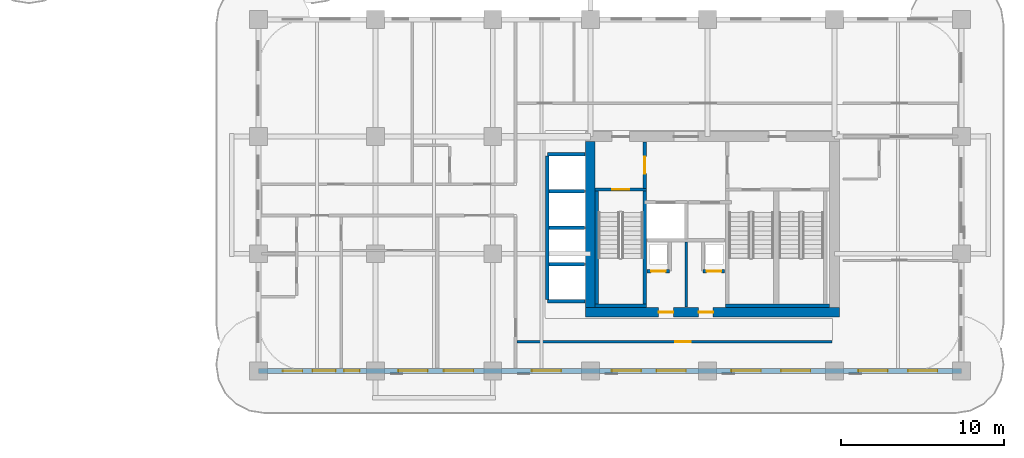
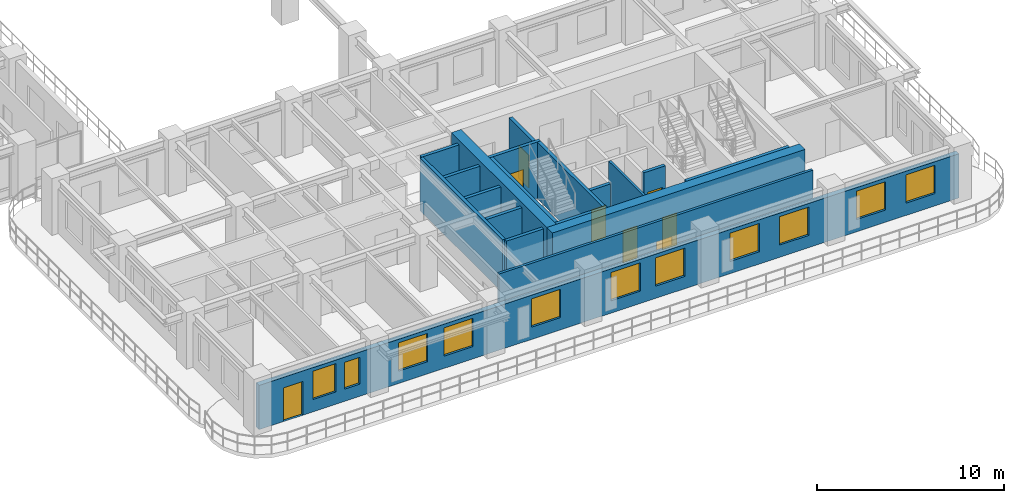
# One storey, part 8 of 19: 19 walls, 11 windows, 8 doors, 19 openings.
"""IFC4 building model written with IfcOpenShell, lengths in metres."""

from ifc_helpers import new_model, si_unit, derived_unit, direction, frame, frame_2d, origin, place, context, subcontext, project, spatial, rectangle, extrude, source, transform, mapped, material, layer, layer_set, type_object, type_shapes, element, fill, save


model = new_model("IFC4")

# Units and contexts
model_context = context("Model", 3, precision=1e-05, world=origin(), true_north=direction((0.0, 1.0)))
body_context = subcontext(model_context, "Body", "Model", "MODEL_VIEW")
ifc_project = project(units=[si_unit("LENGTHUNIT", "METRE"), si_unit("AREAUNIT", "SQUARE_METRE"), si_unit("VOLUMEUNIT", "CUBIC_METRE"), si_unit("PLANEANGLEUNIT", "RADIAN"), si_unit("MASSUNIT", "GRAM", prefix="KILO"), si_unit("THERMODYNAMICTEMPERATUREUNIT", "KELVIN"), si_unit("POWERUNIT", "WATT"), derived_unit("THERMALTRANSMITTANCEUNIT", [(si_unit("POWERUNIT", "WATT"), 1), (si_unit("AREAUNIT", "SQUARE_METRE"), -1), (si_unit("THERMODYNAMICTEMPERATUREUNIT", "KELVIN"), -1)])], contexts=[model_context])

# Site, building, storey
site_placement = place(None, origin())
site = spatial("IfcSite", under=ifc_project, at=site_placement, CompositionType="ELEMENT")
building_placement = place(site_placement, origin())
building = spatial("IfcBuilding", under=site, at=building_placement, Name="Zahravan Archway Hotel and Residences", CompositionType="ELEMENT")
storey_placement = place(building_placement, frame((0.0, 0.0, 62.0)))
storey = spatial("IfcBuildingStorey", under=building, at=storey_placement, Name="L14", CompositionType="ELEMENT", Elevation=62.0)

# Wall, openings, doors
ifc_material_1 = material(Name="Concrete C70/85", Category="concrete")
ifc_layer_1 = layer(ifc_material_1, 0.60009765625, Name="Concrete C70/85", Category="concrete")
ifc_layer_set_1 = layer_set([ifc_layer_1], Name="Concrete C70/85")
wall_type_1 = type_object("IfcWallType", Name="CW-CORE-600", PredefinedType="SHEAR", material=ifc_layer_set_1)
wall_1_placement = place(storey_placement, frame((34.5, 3.60009765625, 0.0), z_axis=(0.0, 0.0, 1.0), x_axis=(1.0, 0.0, 0.0)))
wall_1 = element("IfcWall", 1, at=wall_1_placement, inside=storey, type_object=wall_type_1, Name="L14 Core A Shear S Wall 600 mm", PredefinedType="SHEAR", context=body_context, shape_type="SweptSolid", body=[
    extrude(rectangle(XDim=15.60009765625, YDim=0.60009765625, at=frame_2d((7.800048828125, 0.0))), origin(), (0.0, 0.0, 1.0), 3.699951171875),
])
opening_1_placement = place(wall_1_placement, frame((4.5, 0.0, 0.0)))
opening_1 = element("IfcOpeningElement", 2, at=opening_1_placement, cuts=wall_1, Name="Opening FD-R1", PredefinedType="OPENING", context=body_context, shape_type="SweptSolid", body=[
    extrude(rectangle(XDim=0.89990234375, YDim=2.10009765625, at=frame_2d((0.449951171875, 1.050048828125))), frame((0.0, 0.31005859375, 0.0), z_axis=(0.0, -1.0, 0.0), x_axis=(1.0, 0.0, 0.0)), (0.0, 0.0, 1.0), 0.6201171875),
])
opening_2_placement = place(wall_1_placement, frame((6.949951171875, 0.0, 0.0)))
opening_2 = element("IfcOpeningElement", 3, at=opening_2_placement, cuts=wall_1, Name="Opening FD-R1", PredefinedType="OPENING", context=body_context, shape_type="SweptSolid", body=[
    extrude(rectangle(XDim=0.89990234375, YDim=2.10009765625, at=frame_2d((0.449951171875, 1.050048828125))), frame((0.0, 0.31005859375, 0.0), z_axis=(0.0, -1.0, 0.0), x_axis=(1.0, 0.0, 0.0)), (0.0, 0.0, 1.0), 0.6201171875),
])
ifc_material_2 = material(Name="Fire-Rated Painted Steel", Category="steel")
door_type_1 = type_object("IfcDoorType", Name="FD-RISER-900", OperationType="NOTDEFINED", PredefinedType="DOOR", material=ifc_material_2)
shared_shape_1 = source(origin(), body_context, "Body", "SweptSolid", [
    extrude(rectangle(XDim=0.89990234375, YDim=2.10009765625, at=frame_2d((0.449951171875, 1.050048828125))), frame((0.0, 0.02490234375, 0.0), z_axis=(0.0, -1.0, 0.0), x_axis=(1.0, 0.0, 0.0)), (0.0, 0.0, 1.0), 0.050048828125),
])
type_shapes(door_type_1, [shared_shape_1])
door_1_placement = place(opening_1_placement, origin())
door_1 = element("IfcDoor", 4, at=door_1_placement, inside=storey, type_object=door_type_1, Name="L14 Electrical Switchgear Door", OperationType="SINGLE_SWING_RIGHT", OverallHeight=2.10009765625, OverallWidth=0.89990234375, PredefinedType="DOOR", context=body_context, shape_type="MappedRepresentation", body=[
    mapped(shared_shape_1, transform((0.0, 0.0, 0.0), scale=1.0)),
])
fill(opening_1, door_1)
door_2_placement = place(opening_2_placement, origin())
door_2 = element("IfcDoor", 5, at=door_2_placement, inside=storey, type_object=door_type_1, Name="L14 Telecom BMS Door", OperationType="SINGLE_SWING_LEFT", OverallHeight=2.10009765625, OverallWidth=0.89990234375, PredefinedType="DOOR", context=body_context, shape_type="MappedRepresentation", body=[
    mapped(shared_shape_1, transform((0.0, 0.0, 0.0), scale=1.0)),
])
fill(opening_2, door_2)

# Wall
wall_2_placement = place(storey_placement, frame((34.800048828125, 3.89990234375, 0.0), z_axis=(0.0, 0.0, 1.0), x_axis=(0.0, 1.0, 0.0)))
element("IfcWall", 6, at=wall_2_placement, inside=storey, type_object=wall_type_1, Name="L14 Core A Shear W Wall 600 mm", PredefinedType="SHEAR", context=body_context, shape_type="SweptSolid", body=[
    extrude(rectangle(XDim=10.2001953125, YDim=0.60009765625, at=frame_2d((5.10009765625, 0.0))), origin(), (0.0, 0.0, 1.0), 3.699951171875),
])

# Wall, openings, door, windows
ifc_material_3 = material(Name="Agra Buff Sandstone & Insulated Backup", Category="masonry")
ifc_layer_2 = layer(ifc_material_3, 0.320068359375, Name="Agra Buff Sandstone & Insulated Backup", Category="masonry")
ifc_layer_set_2 = layer_set([ifc_layer_2], Name="Agra Buff Sandstone & Insulated Backup")
wall_type_2 = type_object("IfcWallType", Name="EW-SAND-320", PredefinedType="SOLIDWALL", material=ifc_layer_set_2)
wall_3_placement = place(storey_placement, frame((14.39990234375, 0.0, 0.0), z_axis=(0.0, 0.0, 1.0), x_axis=(1.0, 0.0, 0.0)))
wall_3 = element("IfcWall", 7, at=wall_3_placement, inside=storey, type_object=wall_type_2, Name="L14 Exterior Sandstone Wall WA-S", PredefinedType="SOLIDWALL", context=body_context, shape_type="SweptSolid", body=[
    extrude(rectangle(XDim=43.2001953125, YDim=0.320068359375, at=frame_2d((21.60009765625, 0.0))), origin(), (0.0, 0.0, 1.0), 2.885009765625),
])
opening_3_placement = place(wall_3_placement, frame((1.5, 0.0, 0.0)))
opening_3 = element("IfcOpeningElement", 8, at=opening_3_placement, cuts=wall_3, Name="Opening ED-BL1", PredefinedType="OPENING", context=body_context, shape_type="SweptSolid", body=[
    extrude(rectangle(XDim=1.199951171875, YDim=2.199951171875, at=frame_2d((0.60009765625, 1.10009765625))), frame((0.0, 0.169921875, 0.0), z_axis=(0.0, -1.0, 0.0), x_axis=(1.0, 0.0, 0.0)), (0.0, 0.0, 1.0), 0.340087890625),
])
opening_4_placement = place(wall_3_placement, frame((3.3359375, 0.0, 0.800048828125)))
opening_4 = element("IfcOpeningElement", 9, at=opening_4_placement, cuts=wall_3, Name="Opening W-03", PredefinedType="OPENING", context=body_context, shape_type="SweptSolid", body=[
    extrude(rectangle(XDim=1.39990234375, YDim=1.85009765625, at=frame_2d((0.699951171875, 0.925048828125))), frame((0.0, 0.169921875, 0.0), z_axis=(0.0, -1.0, 0.0), x_axis=(1.0, 0.0, 0.0)), (0.0, 0.0, 1.0), 0.340087890625),
])
opening_5_placement = place(wall_3_placement, frame((5.26904296875, 0.0, 0.800048828125)))
opening_5 = element("IfcOpeningElement", 10, at=opening_5_placement, cuts=wall_3, Name="Opening W-04", PredefinedType="OPENING", context=body_context, shape_type="SweptSolid", body=[
    extrude(rectangle(XDim=0.949951171875, YDim=1.75, at=frame_2d((0.47509765625, 0.875))), frame((0.0, 0.169921875, 0.0), z_axis=(0.0, -1.0, 0.0), x_axis=(1.0, 0.0, 0.0)), (0.0, 0.0, 1.0), 0.340087890625),
])
opening_6_placement = place(wall_3_placement, frame((8.595947265625, 0.0, 0.800048828125)))
opening_6 = element("IfcOpeningElement", 11, at=opening_6_placement, cuts=wall_3, Name="Opening W-02", PredefinedType="OPENING", context=body_context, shape_type="SweptSolid", body=[
    extrude(rectangle(XDim=1.800048828125, YDim=1.85009765625, at=frame_2d((0.89990234375, 0.925048828125))), frame((0.0, 0.169921875, 0.0), z_axis=(0.0, -1.0, 0.0), x_axis=(1.0, 0.0, 0.0)), (0.0, 0.0, 1.0), 0.340087890625),
])
opening_7_placement = place(wall_3_placement, frame((11.404052734375, 0.0, 0.800048828125)))
opening_7 = element("IfcOpeningElement", 12, at=opening_7_placement, cuts=wall_3, Name="Opening W-02", PredefinedType="OPENING", context=body_context, shape_type="SweptSolid", body=[
    extrude(rectangle(XDim=1.800048828125, YDim=1.85009765625, at=frame_2d((0.89990234375, 0.925048828125))), frame((0.0, 0.169921875, 0.0), z_axis=(0.0, -1.0, 0.0), x_axis=(1.0, 0.0, 0.0)), (0.0, 0.0, 1.0), 0.340087890625),
])
opening_8_placement = place(wall_3_placement, frame((16.803955078125, 0.0, 0.800048828125)))
opening_8 = element("IfcOpeningElement", 13, at=opening_8_placement, cuts=wall_3, Name="Opening W-02", PredefinedType="OPENING", context=body_context, shape_type="SweptSolid", body=[
    extrude(rectangle(XDim=1.800048828125, YDim=1.85009765625, at=frame_2d((0.89990234375, 0.925048828125))), frame((0.0, 0.169921875, 0.0), z_axis=(0.0, -1.0, 0.0), x_axis=(1.0, 0.0, 0.0)), (0.0, 0.0, 1.0), 0.340087890625),
])
opening_9_placement = place(wall_3_placement, frame((21.72509765625, 0.0, 0.800048828125)))
opening_9 = element("IfcOpeningElement", 14, at=opening_9_placement, cuts=wall_3, Name="Opening W-02", PredefinedType="OPENING", context=body_context, shape_type="SweptSolid", body=[
    extrude(rectangle(XDim=1.800048828125, YDim=1.85009765625, at=frame_2d((0.89990234375, 0.925048828125))), frame((0.0, 0.169921875, 0.0), z_axis=(0.0, -1.0, 0.0), x_axis=(1.0, 0.0, 0.0)), (0.0, 0.0, 1.0), 0.340087890625),
])
opening_10_placement = place(wall_3_placement, frame((24.47509765625, 0.0, 0.800048828125)))
opening_10 = element("IfcOpeningElement", 15, at=opening_10_placement, cuts=wall_3, Name="Opening W-02", PredefinedType="OPENING", context=body_context, shape_type="SweptSolid", body=[
    extrude(rectangle(XDim=1.800048828125, YDim=1.85009765625, at=frame_2d((0.89990234375, 0.925048828125))), frame((0.0, 0.169921875, 0.0), z_axis=(0.0, -1.0, 0.0), x_axis=(1.0, 0.0, 0.0)), (0.0, 0.0, 1.0), 0.340087890625),
])
opening_11_placement = place(wall_3_placement, frame((29.074951171875, 0.0, 0.800048828125)))
opening_11 = element("IfcOpeningElement", 16, at=opening_11_placement, cuts=wall_3, Name="Opening W-02", PredefinedType="OPENING", context=body_context, shape_type="SweptSolid", body=[
    extrude(rectangle(XDim=1.800048828125, YDim=1.85009765625, at=frame_2d((0.89990234375, 0.925048828125))), frame((0.0, 0.169921875, 0.0), z_axis=(0.0, -1.0, 0.0), x_axis=(1.0, 0.0, 0.0)), (0.0, 0.0, 1.0), 0.340087890625),
])
opening_12_placement = place(wall_3_placement, frame((32.125, 0.0, 0.800048828125)))
opening_12 = element("IfcOpeningElement", 17, at=opening_12_placement, cuts=wall_3, Name="Opening W-02", PredefinedType="OPENING", context=body_context, shape_type="SweptSolid", body=[
    extrude(rectangle(XDim=1.800048828125, YDim=1.85009765625, at=frame_2d((0.89990234375, 0.925048828125))), frame((0.0, 0.169921875, 0.0), z_axis=(0.0, -1.0, 0.0), x_axis=(1.0, 0.0, 0.0)), (0.0, 0.0, 1.0), 0.340087890625),
])
opening_13_placement = place(wall_3_placement, frame((36.875, 0.0, 0.800048828125)))
opening_13 = element("IfcOpeningElement", 18, at=opening_13_placement, cuts=wall_3, Name="Opening W-02", PredefinedType="OPENING", context=body_context, shape_type="SweptSolid", body=[
    extrude(rectangle(XDim=1.800048828125, YDim=1.85009765625, at=frame_2d((0.89990234375, 0.925048828125))), frame((0.0, 0.169921875, 0.0), z_axis=(0.0, -1.0, 0.0), x_axis=(1.0, 0.0, 0.0)), (0.0, 0.0, 1.0), 0.340087890625),
])
opening_14_placement = place(wall_3_placement, frame((39.925048828125, 0.0, 0.800048828125)))
opening_14 = element("IfcOpeningElement", 19, at=opening_14_placement, cuts=wall_3, Name="Opening W-02", PredefinedType="OPENING", context=body_context, shape_type="SweptSolid", body=[
    extrude(rectangle(XDim=1.800048828125, YDim=1.85009765625, at=frame_2d((0.89990234375, 0.925048828125))), frame((0.0, 0.169921875, 0.0), z_axis=(0.0, -1.0, 0.0), x_axis=(1.0, 0.0, 0.0)), (0.0, 0.0, 1.0), 0.340087890625),
])
ifc_material_4 = material(Name="Bronze-Anodized Glazed Aluminium", Category="aluminium")
door_type_2 = type_object("IfcDoorType", Name="ED-BALC-1200", OperationType="SLIDING_TO_LEFT", PredefinedType="DOOR", material=ifc_material_4)
shared_shape_2 = source(origin(), body_context, "Body", "SweptSolid", [
    extrude(rectangle(XDim=1.199951171875, YDim=2.199951171875, at=frame_2d((0.60009765625, 1.10009765625))), frame((0.0, 0.02490234375, 0.0), z_axis=(0.0, -1.0, 0.0), x_axis=(1.0, 0.0, 0.0)), (0.0, 0.0, 1.0), 0.050048828125),
])
type_shapes(door_type_2, [shared_shape_2])
door_3_placement = place(opening_3_placement, origin())
door_3 = element("IfcDoor", 20, at=door_3_placement, inside=storey, type_object=door_type_2, Name="L14 Outdoor Access Sliding Door (SLB-BAL-L14-SA)", OperationType="SLIDING_TO_LEFT", OverallHeight=2.199951171875, OverallWidth=1.199951171875, PredefinedType="DOOR", context=body_context, shape_type="MappedRepresentation", body=[
    mapped(shared_shape_2, transform((0.0, 0.0, 0.0), scale=1.0)),
])
fill(opening_3, door_3)
ifc_material_5 = material(Name="Bronze-Anodized Thermal-Break Aluminium & Low-E Glass", Category="aluminium")
window_type_1 = type_object("IfcWindowType", Name="WIN-TWR-1400", PartitioningType="SINGLE_PANEL", PredefinedType="WINDOW", material=ifc_material_5)
shared_shape_3 = source(origin(), body_context, "Body", "SweptSolid", [
    extrude(rectangle(XDim=1.39990234375, YDim=1.85009765625, at=frame_2d((0.699951171875, 0.925048828125))), frame((0.0, 0.030029296875, 0.0), z_axis=(0.0, -1.0, 0.0), x_axis=(1.0, 0.0, 0.0)), (0.0, 0.0, 1.0), 0.06005859375),
])
type_shapes(window_type_1, [shared_shape_3])
window_1_placement = place(opening_4_placement, origin())
window_1 = element("IfcWindow", 21, at=window_1_placement, inside=storey, type_object=window_type_1, Name="L14 Loggia Window 01", OverallHeight=1.85009765625, OverallWidth=1.39990234375, PartitioningType="SINGLE_PANEL", PredefinedType="WINDOW", context=body_context, shape_type="MappedRepresentation", body=[
    mapped(shared_shape_3, transform((0.0, 0.0, 0.0), scale=1.0)),
])
fill(opening_4, window_1)
window_type_2 = type_object("IfcWindowType", Name="WIN-NAR-950", PartitioningType="SINGLE_PANEL", PredefinedType="WINDOW", material=ifc_material_5)
shared_shape_4 = source(origin(), body_context, "Body", "SweptSolid", [
    extrude(rectangle(XDim=0.949951171875, YDim=1.75, at=frame_2d((0.47509765625, 0.875))), frame((0.0, 0.030029296875, 0.0), z_axis=(0.0, -1.0, 0.0), x_axis=(1.0, 0.0, 0.0)), (0.0, 0.0, 1.0), 0.06005859375),
])
type_shapes(window_type_2, [shared_shape_4])
window_2_placement = place(opening_5_placement, origin())
window_2 = element("IfcWindow", 22, at=window_2_placement, inside=storey, type_object=window_type_2, Name="L14 Loggia Window 02", OverallHeight=1.75, OverallWidth=0.949951171875, PartitioningType="SINGLE_PANEL", PredefinedType="WINDOW", context=body_context, shape_type="MappedRepresentation", body=[
    mapped(shared_shape_4, transform((0.0, 0.0, 0.0), scale=1.0)),
])
fill(opening_5, window_2)
window_type_3 = type_object("IfcWindowType", Name="WIN-TWR-1800", PartitioningType="DOUBLE_PANEL_VERTICAL", PredefinedType="WINDOW", material=ifc_material_5)
shared_shape_5 = source(origin(), body_context, "Body", "SweptSolid", [
    extrude(rectangle(XDim=1.800048828125, YDim=1.85009765625, at=frame_2d((0.89990234375, 0.925048828125))), frame((0.0, 0.030029296875, 0.0), z_axis=(0.0, -1.0, 0.0), x_axis=(1.0, 0.0, 0.0)), (0.0, 0.0, 1.0), 0.06005859375),
])
type_shapes(window_type_3, [shared_shape_5])
window_3_placement = place(opening_6_placement, origin())
window_3 = element("IfcWindow", 23, at=window_3_placement, inside=storey, type_object=window_type_3, Name="L14 Loggia Window 03", OverallHeight=1.85009765625, OverallWidth=1.800048828125, PartitioningType="DOUBLE_PANEL_VERTICAL", PredefinedType="WINDOW", context=body_context, shape_type="MappedRepresentation", body=[
    mapped(shared_shape_5, transform((0.0, 0.0, 0.0), scale=1.0)),
])
fill(opening_6, window_3)
window_4_placement = place(opening_7_placement, origin())
window_4 = element("IfcWindow", 24, at=window_4_placement, inside=storey, type_object=window_type_3, Name="L14 Loggia Window 04", OverallHeight=1.85009765625, OverallWidth=1.800048828125, PartitioningType="DOUBLE_PANEL_VERTICAL", PredefinedType="WINDOW", context=body_context, shape_type="MappedRepresentation", body=[
    mapped(shared_shape_5, transform((0.0, 0.0, 0.0), scale=1.0)),
])
fill(opening_7, window_4)
window_5_placement = place(opening_8_placement, origin())
window_5 = element("IfcWindow", 25, at=window_5_placement, inside=storey, type_object=window_type_3, Name="L14 Loggia Window 05", OverallHeight=1.85009765625, OverallWidth=1.800048828125, PartitioningType="DOUBLE_PANEL_VERTICAL", PredefinedType="WINDOW", context=body_context, shape_type="MappedRepresentation", body=[
    mapped(shared_shape_5, transform((0.0, 0.0, 0.0), scale=1.0)),
])
fill(opening_8, window_5)
window_6_placement = place(opening_9_placement, origin())
window_6 = element("IfcWindow", 26, at=window_6_placement, inside=storey, type_object=window_type_3, Name="L14 Loggia Window 06", OverallHeight=1.85009765625, OverallWidth=1.800048828125, PartitioningType="DOUBLE_PANEL_VERTICAL", PredefinedType="WINDOW", context=body_context, shape_type="MappedRepresentation", body=[
    mapped(shared_shape_5, transform((0.0, 0.0, 0.0), scale=1.0)),
])
fill(opening_9, window_6)
window_7_placement = place(opening_10_placement, origin())
window_7 = element("IfcWindow", 27, at=window_7_placement, inside=storey, type_object=window_type_3, Name="L14 Loggia Window 07", OverallHeight=1.85009765625, OverallWidth=1.800048828125, PartitioningType="DOUBLE_PANEL_VERTICAL", PredefinedType="WINDOW", context=body_context, shape_type="MappedRepresentation", body=[
    mapped(shared_shape_5, transform((0.0, 0.0, 0.0), scale=1.0)),
])
fill(opening_10, window_7)
window_8_placement = place(opening_11_placement, origin())
window_8 = element("IfcWindow", 28, at=window_8_placement, inside=storey, type_object=window_type_3, Name="L14 Loggia Window 08", OverallHeight=1.85009765625, OverallWidth=1.800048828125, PartitioningType="DOUBLE_PANEL_VERTICAL", PredefinedType="WINDOW", context=body_context, shape_type="MappedRepresentation", body=[
    mapped(shared_shape_5, transform((0.0, 0.0, 0.0), scale=1.0)),
])
fill(opening_11, window_8)
window_9_placement = place(opening_12_placement, origin())
window_9 = element("IfcWindow", 29, at=window_9_placement, inside=storey, type_object=window_type_3, Name="L14 Loggia Window 09", OverallHeight=1.85009765625, OverallWidth=1.800048828125, PartitioningType="DOUBLE_PANEL_VERTICAL", PredefinedType="WINDOW", context=body_context, shape_type="MappedRepresentation", body=[
    mapped(shared_shape_5, transform((0.0, 0.0, 0.0), scale=1.0)),
])
fill(opening_12, window_9)
window_10_placement = place(opening_13_placement, origin())
window_10 = element("IfcWindow", 30, at=window_10_placement, inside=storey, type_object=window_type_3, Name="L14 Loggia Window 10", OverallHeight=1.85009765625, OverallWidth=1.800048828125, PartitioningType="DOUBLE_PANEL_VERTICAL", PredefinedType="WINDOW", context=body_context, shape_type="MappedRepresentation", body=[
    mapped(shared_shape_5, transform((0.0, 0.0, 0.0), scale=1.0)),
])
fill(opening_13, window_10)
window_11_placement = place(opening_14_placement, origin())
window_11 = element("IfcWindow", 31, at=window_11_placement, inside=storey, type_object=window_type_3, Name="L14 Loggia Window 11", OverallHeight=1.85009765625, OverallWidth=1.800048828125, PartitioningType="DOUBLE_PANEL_VERTICAL", PredefinedType="WINDOW", context=body_context, shape_type="MappedRepresentation", body=[
    mapped(shared_shape_5, transform((0.0, 0.0, 0.0), scale=1.0)),
])
fill(opening_14, window_11)

# Wall, opening, door
ifc_material_6 = material(Name="Fire-Rated Gypsum & Concrete Block", Category="concrete")
ifc_layer_3 = layer(ifc_material_6, 0.219970703125, Name="Fire-Rated Gypsum & Concrete Block", Category="concrete")
ifc_layer_set_3 = layer_set([ifc_layer_3], Name="Fire-Rated Gypsum & Concrete Block")
wall_type_3 = type_object("IfcWallType", Name="PW-COMP-220", PredefinedType="PARTITIONING", material=ifc_layer_set_3)
wall_4_placement = place(storey_placement, frame((38.139892578125, 11.219970703125, 0.0), z_axis=(0.0, 0.0, 1.0), x_axis=(0.0, 1.0, 0.0)))
wall_4 = element("IfcWall", 32, at=wall_4_placement, inside=storey, type_object=wall_type_3, Name="L14 Partition CA-LOBW", PredefinedType="PARTITIONING", context=body_context, shape_type="SweptSolid", body=[
    extrude(rectangle(XDim=2.860107421875, YDim=0.219970703125, at=frame_2d((1.43017578125, 0.0))), origin(), (0.0, 0.0, 1.0), 3.449951171875),
])
opening_15_placement = place(wall_4_placement, frame((0.905029296875, 0.0, 0.0)))
opening_15 = element("IfcOpeningElement", 33, at=opening_15_placement, cuts=wall_4, Name="Opening FD-L2", PredefinedType="OPENING", context=body_context, shape_type="SweptSolid", body=[
    extrude(rectangle(XDim=1.050048828125, YDim=2.14990234375, at=frame_2d((0.52490234375, 1.074951171875))), frame((0.0, 0.1201171875, 0.0), z_axis=(0.0, -1.0, 0.0), x_axis=(1.0, 0.0, 0.0)), (0.0, 0.0, 1.0), 0.239990234375),
])
door_type_3 = type_object("IfcDoorType", Name="FD-LOBBY-1100", OperationType="NOTDEFINED", PredefinedType="DOOR", material=ifc_material_2)
shared_shape_6 = source(origin(), body_context, "Body", "SweptSolid", [
    extrude(rectangle(XDim=1.050048828125, YDim=2.14990234375, at=frame_2d((0.52490234375, 1.074951171875))), frame((0.0, 0.02490234375, 0.0), z_axis=(0.0, -1.0, 0.0), x_axis=(1.0, 0.0, 0.0)), (0.0, 0.0, 1.0), 0.050048828125),
])
type_shapes(door_type_3, [shared_shape_6])
door_4_placement = place(opening_15_placement, origin())
door_4 = element("IfcDoor", 34, at=door_4_placement, inside=storey, type_object=door_type_3, Name="L14 Core A West Stair to FSAE Lobby Door", OperationType="SINGLE_SWING_RIGHT", OverallHeight=2.14990234375, OverallWidth=1.050048828125, PredefinedType="DOOR", context=body_context, shape_type="MappedRepresentation", body=[
    mapped(shared_shape_6, transform((0.0, 0.0, 0.0), scale=1.0)),
])
fill(opening_15, door_4)

ifc_layer_4 = layer(ifc_material_6, 0.159912109375, Name="Fire-Rated Gypsum & Concrete Block", Category="concrete")
ifc_layer_set_4 = layer_set([ifc_layer_4], Name="Fire-Rated Gypsum & Concrete Block")
wall_type_4 = type_object("IfcWallType", Name="PW-CORR-160", PredefinedType="PARTITIONING", material=ifc_layer_set_4)
wall_5_placement = place(storey_placement, frame((30.2900390625, 1.800048828125, 0.0), z_axis=(0.0, 0.0, 1.0), x_axis=(1.0, 0.0, 0.0)))
wall_5 = element("IfcWall", 35, at=wall_5_placement, inside=storey, type_object=wall_type_4, Name="L14 Partition WA-SRS", PredefinedType="PARTITIONING", context=body_context, shape_type="SweptSolid", body=[
    extrude(rectangle(XDim=19.369873046875, YDim=0.159912109375, at=frame_2d((9.68505859375, 0.0))), origin(), (0.0, 0.0, 1.0), 3.449951171875),
])
opening_16_placement = place(wall_5_placement, frame((9.735107421875, 0.0, 0.0)))
opening_16 = element("IfcOpeningElement", 36, at=opening_16_placement, cuts=wall_5, Name="Opening D-I1", PredefinedType="OPENING", context=body_context, shape_type="SweptSolid", body=[
    extrude(rectangle(XDim=0.949951171875, YDim=2.14990234375, at=frame_2d((0.47509765625, 1.074951171875))), frame((0.0, 0.08984375, 0.0), z_axis=(0.0, -1.0, 0.0), x_axis=(1.0, 0.0, 0.0)), (0.0, 0.0, 1.0), 0.179931640625),
])
ifc_material_7 = material(Name="Hardwood Veneer Timber", Category="wood")
door_type_4 = type_object("IfcDoorType", Name="ID-INT-950", OperationType="NOTDEFINED", PredefinedType="DOOR", material=ifc_material_7)
shared_shape_7 = source(origin(), body_context, "Body", "SweptSolid", [
    extrude(rectangle(XDim=0.949951171875, YDim=2.14990234375, at=frame_2d((0.47509765625, 1.074951171875))), frame((0.0, 0.02490234375, 0.0), z_axis=(0.0, -1.0, 0.0), x_axis=(1.0, 0.0, 0.0)), (0.0, 0.0, 1.0), 0.050048828125),
])
type_shapes(door_type_4, [shared_shape_7])
door_5_placement = place(opening_16_placement, origin())
door_5 = element("IfcDoor", 37, at=door_5_placement, inside=storey, type_object=door_type_4, Name="L14 South Viewing Lounge Door", OperationType="SINGLE_SWING_RIGHT", OverallHeight=2.14990234375, OverallWidth=0.949951171875, PredefinedType="DOOR", context=body_context, shape_type="MappedRepresentation", body=[
    mapped(shared_shape_7, transform((0.0, 0.0, 0.0), scale=1.0)),
])
fill(opening_16, door_5)

ifc_layer_5 = layer(ifc_material_6, 0.199951171875, Name="Fire-Rated Gypsum & Concrete Block", Category="concrete")
ifc_layer_set_5 = layer_set([ifc_layer_5], Name="Fire-Rated Gypsum & Concrete Block")
wall_type_5 = type_object("IfcWallType", Name="PW-SHAFT-200", PredefinedType="PARTITIONING", material=ifc_layer_set_5)
wall_6_placement = place(storey_placement, frame((38.2900390625, 6.1201171875, 0.0), z_axis=(0.0, 0.0, 1.0), x_axis=(1.0, 0.0, 0.0)))
wall_6 = element("IfcWall", 38, at=wall_6_placement, inside=storey, type_object=wall_type_5, Name="L14 Partition CA-SMKS", PredefinedType="PARTITIONING", context=body_context, shape_type="SweptSolid", body=[
    extrude(rectangle(XDim=1.3798828125, YDim=0.199951171875, at=frame_2d((0.68994140625, 0.0))), origin(), (0.0, 0.0, 1.0), 3.449951171875),
])
opening_17_placement = place(wall_6_placement, frame((0.239990234375, 0.0, 0.0)))
opening_17 = element("IfcOpeningElement", 39, at=opening_17_placement, cuts=wall_6, Name="Opening FD-R1", PredefinedType="OPENING", context=body_context, shape_type="SweptSolid", body=[
    extrude(rectangle(XDim=0.89990234375, YDim=2.10009765625, at=frame_2d((0.449951171875, 1.050048828125))), frame((0.0, 0.10986328125, 0.0), z_axis=(0.0, -1.0, 0.0), x_axis=(1.0, 0.0, 0.0)), (0.0, 0.0, 1.0), 0.219970703125),
])
door_6_placement = place(opening_17_placement, origin())
door_6 = element("IfcDoor", 40, at=door_6_placement, inside=storey, type_object=door_type_1, Name="L14 Smoke Riser Access Door", OperationType="SINGLE_SWING_RIGHT", OverallHeight=2.10009765625, OverallWidth=0.89990234375, PredefinedType="DOOR", context=body_context, shape_type="MappedRepresentation", body=[
    mapped(shared_shape_1, transform((0.0, 0.0, 0.0), scale=1.0)),
])
fill(opening_17, door_6)

wall_7_placement = place(storey_placement, frame((41.72998046875, 6.1201171875, 0.0), z_axis=(0.0, 0.0, 1.0), x_axis=(1.0, 0.0, 0.0)))
wall_7 = element("IfcWall", 41, at=wall_7_placement, inside=storey, type_object=wall_type_5, Name="L14 Partition CA-MEPS", PredefinedType="PARTITIONING", context=body_context, shape_type="SweptSolid", body=[
    extrude(rectangle(XDim=1.320068359375, YDim=0.199951171875, at=frame_2d((0.66015625, 0.0))), origin(), (0.0, 0.0, 1.0), 3.449951171875),
])
opening_18_placement = place(wall_7_placement, frame((0.219970703125, 0.0, 0.0)))
opening_18 = element("IfcOpeningElement", 42, at=opening_18_placement, cuts=wall_7, Name="Opening FD-R1", PredefinedType="OPENING", context=body_context, shape_type="SweptSolid", body=[
    extrude(rectangle(XDim=0.89990234375, YDim=2.10009765625, at=frame_2d((0.449951171875, 1.050048828125))), frame((0.0, 0.10986328125, 0.0), z_axis=(0.0, -1.0, 0.0), x_axis=(1.0, 0.0, 0.0)), (0.0, 0.0, 1.0), 0.219970703125),
])
door_7_placement = place(opening_18_placement, origin())
door_7 = element("IfcDoor", 43, at=door_7_placement, inside=storey, type_object=door_type_1, Name="L14 MEP Riser Access Door", OperationType="SINGLE_SWING_LEFT", OverallHeight=2.10009765625, OverallWidth=0.89990234375, PredefinedType="DOOR", context=body_context, shape_type="MappedRepresentation", body=[
    mapped(shared_shape_1, transform((0.0, 0.0, 0.0), scale=1.0)),
])
fill(opening_18, door_7)

# Walls
for number, where, z_axis, x_axis, name in (
    (44, (32.159912109375, 4.280029296875, 0.0), (0.0, 0.0, 1.0), (1.0, 0.0, 0.0), "L14 Partition B3-S"),
    (45, (32.159912109375, 13.320068359375, 0.0), (0.0, 0.0, 1.0), (1.0, 0.0, 0.0), "L14 Partition B3-N"),
):
    element("IfcWall", number, at=place(storey_placement, frame(where, z_axis=z_axis, x_axis=x_axis)), inside=storey, type_object=wall_type_5, Name=name, PredefinedType="PARTITIONING", context=body_context, shape_type="SweptSolid", body=[
        extrude(rectangle(XDim=2.31005859375, YDim=0.199951171875, at=frame_2d((1.155029296875, 0.0))), origin(), (0.0, 0.0, 1.0), 3.449951171875),
    ])
wall_8_placement = place(storey_placement, frame((32.14990234375, 4.389892578125, 0.0), z_axis=(0.0, 0.0, 1.0), x_axis=(0.0, 1.0, 0.0)))
element("IfcWall", 46, at=wall_8_placement, inside=storey, type_object=wall_type_5, Name="L14 Partition B3-W", PredefinedType="PARTITIONING", context=body_context, shape_type="SweptSolid", body=[
    extrude(rectangle(XDim=8.820068359375, YDim=0.199951171875, at=frame_2d((4.41015625, 0.0))), origin(), (0.0, 0.0, 1.0), 3.449951171875),
])
for number, where, z_axis, x_axis, name in (
    (47, (32.260009765625, 6.56005859375, 0.0), (0.0, 0.0, 1.0), (1.0, 0.0, 0.0), "L14 Partition B3-D"),
    (48, (32.260009765625, 8.800048828125, 0.0), (0.0, 0.0, 1.0), (1.0, 0.0, 0.0), "L14 Partition B3-D"),
    (49, (32.260009765625, 11.0400390625, 0.0), (0.0, 0.0, 1.0), (1.0, 0.0, 0.0), "L14 Partition B3-D"),
):
    element("IfcWall", number, at=place(storey_placement, frame(where, z_axis=z_axis, x_axis=x_axis)), inside=storey, type_object=wall_type_5, Name=name, PredefinedType="PARTITIONING", context=body_context, shape_type="SweptSolid", body=[
        extrude(rectangle(XDim=2.179931640625, YDim=0.199951171875, at=frame_2d((1.08984375, 0.0))), origin(), (0.0, 0.0, 1.0), 3.449951171875),
    ])
ifc_material_8 = material(Name="Moisture-Resistant Blockwork", Category="masonry")
ifc_layer_6 = layer(ifc_material_8, 0.139892578125, Name="Moisture-Resistant Blockwork", Category="masonry")
ifc_layer_set_6 = layer_set([ifc_layer_6], Name="Moisture-Resistant Blockwork")
wall_type_6 = type_object("IfcWallType", Name="PW-WET-140", PredefinedType="PARTITIONING", material=ifc_layer_set_6)
wall_9_placement = place(storey_placement, frame((40.699951171875, 3.919921875, 0.0), z_axis=(0.0, 0.0, 1.0), x_axis=(0.0, 1.0, 0.0)))
element("IfcWall", 50, at=wall_9_placement, inside=storey, type_object=wall_type_6, Name="L14 Partition CA-CV0", PredefinedType="PARTITIONING", context=body_context, shape_type="SweptSolid", body=[
    extrude(rectangle(XDim=3.989990234375, YDim=0.139892578125, at=frame_2d((1.9951171875, 0.0))), origin(), (0.0, 0.0, 1.0), 3.449951171875),
])
ifc_material_9 = material(Name="Concrete C50/60", Category="concrete")
ifc_layer_7 = layer(ifc_material_9, 0.199951171875, Name="Concrete C50/60", Category="concrete")
ifc_layer_set_7 = layer_set([ifc_layer_7], Name="Concrete C50/60")
wall_type_7 = type_object("IfcWallType", Name="SW-STAIR-200", PredefinedType="SHEAR", material=ifc_layer_set_7)
wall_10_placement = place(storey_placement, frame((35.10009765625, 4.0, 0.0), z_axis=(0.0, 0.0, 1.0), x_axis=(1.0, 0.0, 0.0)))
element("IfcWall", 51, at=wall_10_placement, inside=storey, type_object=wall_type_7, Name="L14 Stairwell RC Wall CA-SA1S", PredefinedType="SHEAR", context=body_context, shape_type="SweptSolid", body=[
    extrude(rectangle(XDim=3.139892578125, YDim=0.199951171875, at=frame_2d((1.56982421875, 0.0))), origin(), (0.0, 0.0, 1.0), 3.699951171875),
])
for number, where, z_axis, x_axis, name in (
    (52, (35.199951171875, 4.10009765625, 0.0), (0.0, 0.0, 1.0), (0.0, 1.0, 0.0), "L14 Stairwell RC Wall CA-SA1W"),
    (53, (38.139892578125, 4.10009765625, 0.0), (0.0, 0.0, 1.0), (0.0, 1.0, 0.0), "L14 Stairwell RC Wall CA-SA1E"),
):
    element("IfcWall", number, at=place(storey_placement, frame(where, z_axis=z_axis, x_axis=x_axis)), inside=storey, type_object=wall_type_7, Name=name, PredefinedType="SHEAR", context=body_context, shape_type="SweptSolid", body=[
        extrude(rectangle(XDim=6.949951171875, YDim=0.199951171875, at=frame_2d((3.47509765625, 0.0))), origin(), (0.0, 0.0, 1.0), 3.699951171875),
    ])

# Wall, opening, door
wall_11_placement = place(storey_placement, frame((35.10009765625, 11.14990234375, 0.0), z_axis=(0.0, 0.0, 1.0), x_axis=(1.0, 0.0, 0.0)))
wall_11 = element("IfcWall", 54, at=wall_11_placement, inside=storey, type_object=wall_type_7, Name="L14 Stairwell RC Wall CA-SA1N", PredefinedType="SHEAR", context=body_context, shape_type="SweptSolid", body=[
    extrude(rectangle(XDim=3.139892578125, YDim=0.199951171875, at=frame_2d((1.56982421875, 0.0))), origin(), (0.0, 0.0, 1.0), 3.699951171875),
])
opening_19_placement = place(wall_11_placement, frame((1.044921875, 0.0, 0.0)))
opening_19 = element("IfcOpeningElement", 55, at=opening_19_placement, cuts=wall_11, Name="Opening FD-S1", PredefinedType="OPENING", context=body_context, shape_type="SweptSolid", body=[
    extrude(rectangle(XDim=1.050048828125, YDim=2.199951171875, at=frame_2d((0.52490234375, 1.10009765625))), frame((0.0, 0.10986328125, 0.0), z_axis=(0.0, -1.0, 0.0), x_axis=(1.0, 0.0, 0.0)), (0.0, 0.0, 1.0), 0.219970703125),
])
door_type_5 = type_object("IfcDoorType", Name="FD-STAIR-1100", OperationType="NOTDEFINED", PredefinedType="DOOR", material=ifc_material_2)
shared_shape_8 = source(origin(), body_context, "Body", "SweptSolid", [
    extrude(rectangle(XDim=1.050048828125, YDim=2.199951171875, at=frame_2d((0.52490234375, 1.10009765625))), frame((0.0, 0.02490234375, 0.0), z_axis=(0.0, -1.0, 0.0), x_axis=(1.0, 0.0, 0.0)), (0.0, 0.0, 1.0), 0.050048828125),
])
type_shapes(door_type_5, [shared_shape_8])
door_8_placement = place(opening_19_placement, origin())
door_8 = element("IfcDoor", 56, at=door_8_placement, inside=storey, type_object=door_type_5, Name="L14 Stair ST-A1 Door", OperationType="SINGLE_SWING_LEFT", OverallHeight=2.199951171875, OverallWidth=1.050048828125, PredefinedType="DOOR", context=body_context, shape_type="MappedRepresentation", body=[
    mapped(shared_shape_8, transform((0.0, 0.0, 0.0), scale=1.0)),
])
fill(opening_19, door_8)

# Wall
wall_12_placement = place(storey_placement, frame((43.1201171875, 4.0, 0.0), z_axis=(0.0, 0.0, 1.0), x_axis=(1.0, 0.0, 0.0)))
element("IfcWall", 57, at=wall_12_placement, inside=storey, type_object=wall_type_7, Name="L14 Stairwell RC Wall CA-SA23S", PredefinedType="SHEAR", context=body_context, shape_type="SweptSolid", body=[
    extrude(rectangle(XDim=6.3798828125, YDim=0.199951171875, at=frame_2d((3.18994140625, 0.0))), origin(), (0.0, 0.0, 1.0), 3.699951171875),
])

save(model, "model.ifc")
